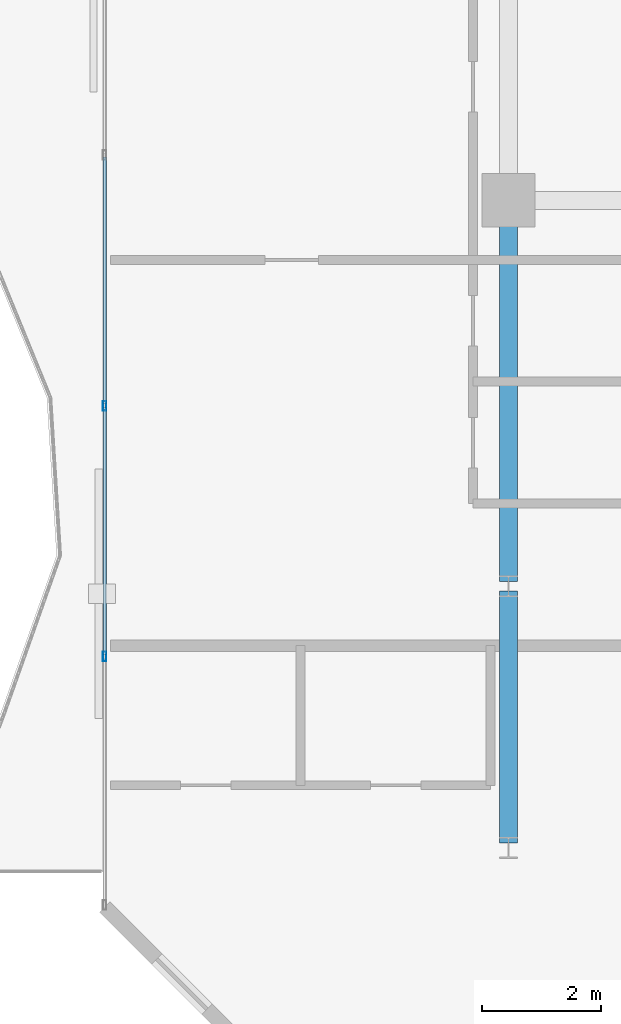
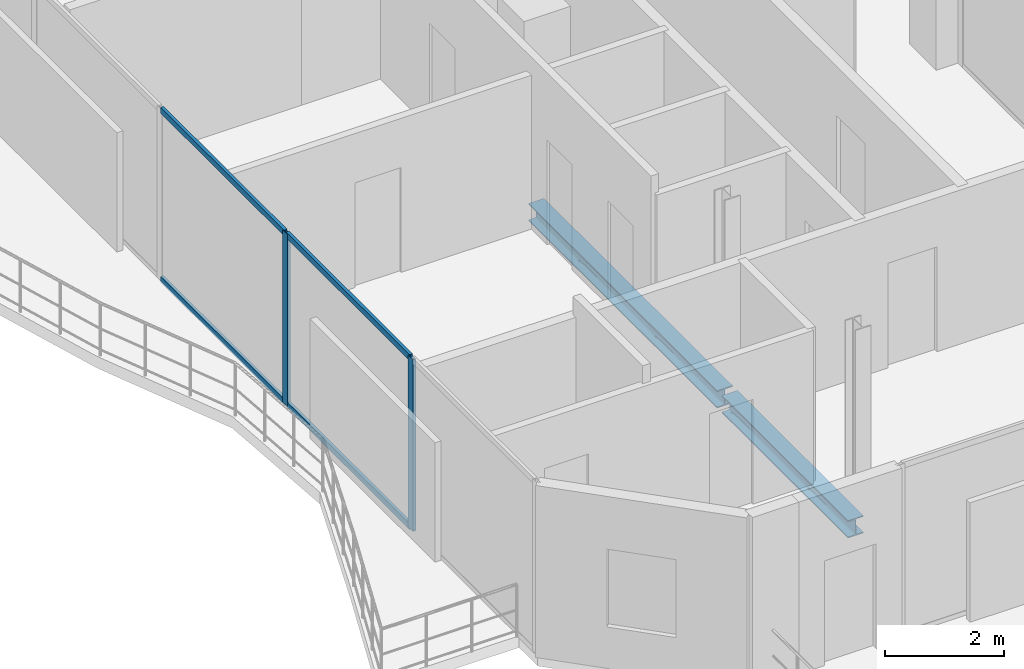
# One storey, part 3 of 17: 6 members, 2 beams, 1 element without a shape of its own.
"""IFC4 building model written with IfcOpenShell, lengths in metres."""

from ifc_helpers import new_model, si_unit, direction, frame, origin, origin_2d, place, context, subcontext, project, spatial, hollow_rectangle, i_section, extrude, material, layer, layer_set, material_profile, profile_set, type_object, element, aggregate, save


model = new_model("IFC4")

# Units and contexts
model_context = context("Model", 3, precision=1e-05, world=origin(), true_north=direction((0.0, 1.0)))
body_context = subcontext(model_context, "Body", "Model", "MODEL_VIEW")
ifc_project = project(units=[si_unit("LENGTHUNIT", "METRE"), si_unit("AREAUNIT", "SQUARE_METRE"), si_unit("VOLUMEUNIT", "CUBIC_METRE"), si_unit("PLANEANGLEUNIT", "RADIAN"), si_unit("MASSUNIT", "GRAM", prefix="KILO")], contexts=[model_context])

# Site, building, storey
site_placement = place(None, origin())
site = spatial("IfcSite", under=ifc_project, at=site_placement, CompositionType="ELEMENT")
building_placement = place(site_placement, origin())
building = spatial("IfcBuilding", under=site, at=building_placement, Name="Catumbela Crestline Tower", CompositionType="ELEMENT")
storey_placement = place(building_placement, frame((0.0, 0.0, 271.6)))
storey = spatial("IfcBuildingStorey", under=building, at=storey_placement, Name="L70", CompositionType="ELEMENT", Elevation=271.6)

# Beams
ifc_material_1 = material(Name="Structural steel S355J2", Category="steel")
ifc_material_profile_1 = material_profile(ifc_material_1, i_section(OverallWidth=0.3, OverallDepth=0.36, WebThickness=0.0125, FlangeThickness=0.0225, FilletRadius=0.027, at=origin_2d()), Name="HEB 360")
ifc_profile_set_1 = profile_set([ifc_material_profile_1], Name="Structural steel S355J2")
beam_type = type_object("IfcBeamType", Name="BG-HEB360", PredefinedType="BEAM", material=ifc_profile_set_1)
beam_1_placement = place(storey_placement, frame((16.0, 13.68, -0.44), z_axis=(0.0, 1.0, 0.0), x_axis=(-1.0, 0.0, 0.0)))
element("IfcBeam", 1, at=beam_1_placement, inside=storey, type_object=beam_type, Name="L70 Beam BM-L70-WNS18", PredefinedType="BEAM", context=body_context, shape_type="SweptSolid", body=[
    extrude(i_section(OverallWidth=0.3, OverallDepth=0.36, WebThickness=0.0125, FlangeThickness=0.0225, FilletRadius=0.027, at=origin_2d()), origin(), (0.0, 0.0, 1.0), 4.24),
])
beam_2_placement = place(storey_placement, frame((16.0, 18.08, -0.44), z_axis=(0.0, 1.0, 0.0), x_axis=(-1.0, 0.0, 0.0)))
element("IfcBeam", 2, at=beam_2_placement, inside=storey, type_object=beam_type, Name="L70 Beam BM-L70-WNS19", PredefinedType="BEAM", context=body_context, shape_type="SweptSolid", body=[
    extrude(i_section(OverallWidth=0.3, OverallDepth=0.36, WebThickness=0.0125, FlangeThickness=0.0225, FilletRadius=0.027, at=origin_2d()), origin(), (0.0, 0.0, 1.0), 6.34),
])

# Curtain wall, members
ifc_material_2 = material(Name="Aluminium alloy AW-6060-T66", Category="aluminium")
ifc_layer = layer(ifc_material_2, 0.18, Name="Aluminium alloy AW-6060-T66")
ifc_layer_set = layer_set([ifc_layer], Name="Aluminium alloy AW-6060-T66")
curtain_wall_type = type_object("IfcCurtainWallType", Name="CWU-Z4", PredefinedType="USERDEFINED", material=ifc_layer_set)
curtain_wall_placement = place(storey_placement, origin())
curtain_wall = element("IfcCurtainWall", 3, at=curtain_wall_placement, inside=storey, type_object=curtain_wall_type, Name="L70 Unitised Curtain Wall CW-L70-E9S2", ObjectType="UNITISED", PredefinedType="USERDEFINED")
ifc_material_profile_2 = material_profile(ifc_material_2, hollow_rectangle(XDim=0.06, YDim=0.16, WallThickness=0.004, at=origin_2d()), Name="ALU 160x60x4")
ifc_profile_set_2 = profile_set([ifc_material_profile_2], Name="Aluminium alloy AW-6060-T66")
member_type_1 = type_object("IfcMemberType", Name="MUL-160X60", PredefinedType="MULLION", material=ifc_profile_set_2)
member_1_placement = place(storey_placement, frame((9.2, 21.04, 0.0), z_axis=(0.0, 0.0, 1.0), x_axis=(1.0, 0.0, 0.0)))
member_1 = element("IfcMember", 4, at=member_1_placement, type_object=member_type_1, Name="CWU-Z4 mullion 4", PredefinedType="MULLION", context=body_context, shape_type="SweptSolid", body=[
    extrude(hollow_rectangle(XDim=0.06, YDim=0.16, WallThickness=0.004, at=origin_2d()), origin(), (0.0, 0.0, 1.0), 3.53),
])
member_2_placement = place(storey_placement, frame((9.2, 16.82, 0.0), z_axis=(0.0, 0.0, 1.0), x_axis=(1.0, 0.0, 0.0)))
member_2 = element("IfcMember", 5, at=member_2_placement, type_object=member_type_1, Name="CWU-Z4 mullion 5", PredefinedType="MULLION", context=body_context, shape_type="SweptSolid", body=[
    extrude(hollow_rectangle(XDim=0.06, YDim=0.16, WallThickness=0.004, at=origin_2d()), origin(), (0.0, 0.0, 1.0), 3.53),
])
ifc_material_profile_3 = material_profile(ifc_material_2, hollow_rectangle(XDim=0.06, YDim=0.12, WallThickness=0.0035, at=origin_2d()), Name="ALU 120x60x3.5")
ifc_profile_set_3 = profile_set([ifc_material_profile_3], Name="Aluminium alloy AW-6060-T66")
member_type_2 = type_object("IfcMemberType", Name="TRN-120X60", PredefinedType="USERDEFINED", material=ifc_profile_set_3)
member_3_placement = place(storey_placement, frame((9.2, 25.2275, 0.03), z_axis=(0.0, -1.0, 0.0), x_axis=(1.0, 0.0, 0.0)))
member_3 = element("IfcMember", 6, at=member_3_placement, type_object=member_type_2, Name="CWU-Z4 transom 3.1", ObjectType="TRANSOM", PredefinedType="USERDEFINED", context=body_context, shape_type="SweptSolid", body=[
    extrude(hollow_rectangle(XDim=0.06, YDim=0.12, WallThickness=0.0035, at=origin_2d()), origin(), (0.0, 0.0, 1.0), 4.155),
])
member_4_placement = place(storey_placement, frame((9.2, 25.2275, 3.5), z_axis=(0.0, -1.0, 0.0), x_axis=(1.0, 0.0, 0.0)))
member_4 = element("IfcMember", 7, at=member_4_placement, type_object=member_type_2, Name="CWU-Z4 transom 3.2", ObjectType="TRANSOM", PredefinedType="USERDEFINED", context=body_context, shape_type="SweptSolid", body=[
    extrude(hollow_rectangle(XDim=0.06, YDim=0.12, WallThickness=0.0035, at=origin_2d()), origin(), (0.0, 0.0, 1.0), 4.155),
])
member_5_placement = place(storey_placement, frame((9.2, 21.0075, 0.03), z_axis=(0.0, -1.0, 0.0), x_axis=(1.0, 0.0, 0.0)))
member_5 = element("IfcMember", 8, at=member_5_placement, type_object=member_type_2, Name="CWU-Z4 transom 4.1", ObjectType="TRANSOM", PredefinedType="USERDEFINED", context=body_context, shape_type="SweptSolid", body=[
    extrude(hollow_rectangle(XDim=0.06, YDim=0.12, WallThickness=0.0035, at=origin_2d()), origin(), (0.0, 0.0, 1.0), 4.155),
])
member_6_placement = place(storey_placement, frame((9.2, 21.0075, 3.5), z_axis=(0.0, -1.0, 0.0), x_axis=(1.0, 0.0, 0.0)))
member_6 = element("IfcMember", 9, at=member_6_placement, type_object=member_type_2, Name="CWU-Z4 transom 4.2", ObjectType="TRANSOM", PredefinedType="USERDEFINED", context=body_context, shape_type="SweptSolid", body=[
    extrude(hollow_rectangle(XDim=0.06, YDim=0.12, WallThickness=0.0035, at=origin_2d()), origin(), (0.0, 0.0, 1.0), 4.155),
])
aggregate(curtain_wall, [member_1, member_2, member_3, member_4, member_5, member_6])

save(model, "model.ifc")
